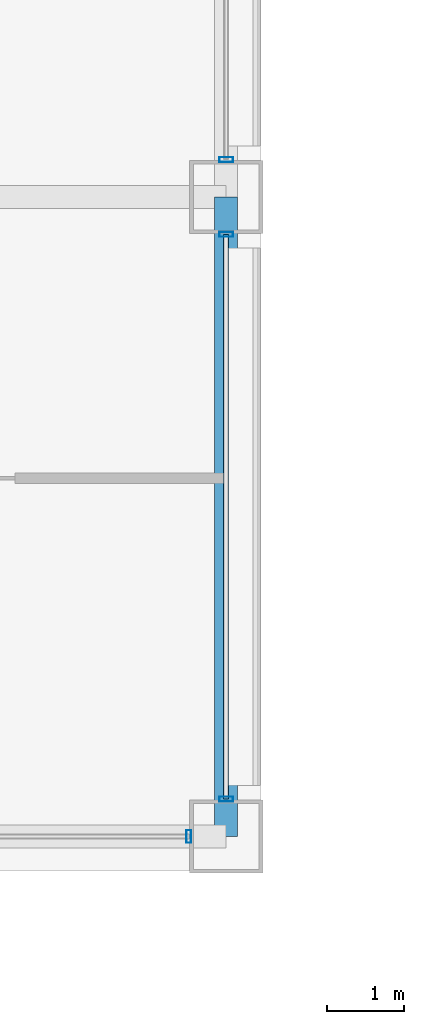
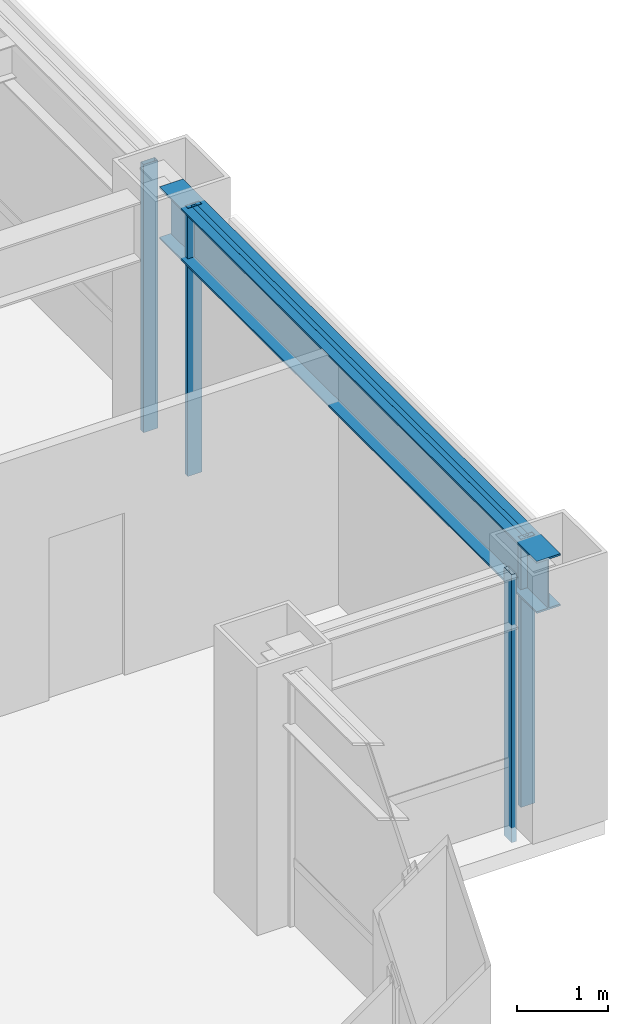
# One storey, part 11 of 31: 5 members, 1 beam, 3 elements without a shape of their own.
"""IFC4 building model written with IfcOpenShell, lengths in metres."""

from ifc_helpers import new_model, si_unit, direction, frame, origin, origin_2d, place, context, subcontext, project, spatial, hollow_rectangle, i_section, extrude, material, layer, layer_set, material_profile, profile_set, type_object, element, aggregate, save


model = new_model("IFC4")

# Units and contexts
model_context = context("Model", 3, precision=1e-05, world=origin(), true_north=direction((0.0, 1.0)))
body_context = subcontext(model_context, "Body", "Model", "MODEL_VIEW")
ifc_project = project(units=[si_unit("LENGTHUNIT", "METRE"), si_unit("AREAUNIT", "SQUARE_METRE"), si_unit("VOLUMEUNIT", "CUBIC_METRE"), si_unit("PLANEANGLEUNIT", "RADIAN"), si_unit("MASSUNIT", "GRAM", prefix="KILO")], contexts=[model_context])

# Site, building, storey
site_placement = place(None, origin())
site = spatial("IfcSite", under=ifc_project, at=site_placement, CompositionType="ELEMENT")
building_placement = place(site_placement, origin())
building = spatial("IfcBuilding", under=site, at=building_placement, Name="Brelmoor Portico Tower", CompositionType="ELEMENT")
storey_placement = place(building_placement, frame((0.0, 0.0, 42.0)))
storey = spatial("IfcBuildingStorey", under=building, at=storey_placement, Name="L10", CompositionType="ELEMENT", Elevation=42.0)

# Beam
ifc_material_1 = material(Name="Steel Q355B", Category="steel")
ifc_material_profile_1 = material_profile(ifc_material_1, i_section(OverallWidth=0.300048828125, OverallDepth=0.699951171875, WebThickness=0.012939453125, FlangeThickness=0.02392578125, at=origin_2d()), Name="HN 700x300x13x24")
ifc_profile_set_1 = profile_set([ifc_material_profile_1], Name="Steel Q355B")
beam_type = type_object("IfcBeamType", Name="BM-SP-700", PredefinedType="SPANDREL", material=ifc_profile_set_1)
beam_placement = place(storey_placement, frame((24.550048828125, -18.050048828125, 3.050048828125), z_axis=(0.0, 1.0, 0.0), x_axis=(-1.0, 0.0, 0.0)))
element("IfcBeam", 1, at=beam_placement, inside=storey, type_object=beam_type, Name="L10 Perimeter Spandrel Beam SP-22", PredefinedType="SPANDREL", context=body_context, shape_type="SweptSolid", body=[
    extrude(i_section(OverallWidth=0.300048828125, OverallDepth=0.699951171875, WebThickness=0.012939453125, FlangeThickness=0.02392578125, at=origin_2d()), origin(), (0.0, 0.0, 1.0), 8.300048828125),
])

# Curtain wall, member
ifc_material_2 = material(Name="Anodised Aluminium Alloy 6063-T6", Category="aluminium")
ifc_layer_1 = layer(ifc_material_2, 0.179931640625)
ifc_layer_set_1 = layer_set([ifc_layer_1], Name="Anodised Aluminium Alloy 6063-T6")
curtain_wall_type_1 = type_object("IfcCurtainWallType", Name="CW-NOTCH-CHAMFER", PredefinedType="NOTDEFINED", material=ifc_layer_set_1)
curtain_wall_1_placement = place(storey_placement, origin())
curtain_wall_1 = element("IfcCurtainWall", 2, at=curtain_wall_1_placement, inside=storey, type_object=curtain_wall_type_1, Name="L10 Curtain Wall CWN-L10-SEH", PredefinedType="NOTDEFINED")
ifc_material_profile_2 = material_profile(ifc_material_2, hollow_rectangle(XDim=0.06494140625, YDim=0.1650390625, WallThickness=0.00390625, at=origin_2d()), Name="ALU MULLION 65x165")
ifc_profile_set_2 = profile_set([ifc_material_profile_2], Name="Anodised Aluminium Alloy 6063-T6")
member_type_1 = type_object("IfcMemberType", Name="MB-CW-MULL-165", PredefinedType="MULLION", material=ifc_profile_set_2)
member_1_placement = place(storey_placement, frame((24.06494140625, -18.050048828125, -0.199951171875), z_axis=(0.0, 0.0, 1.0), x_axis=(1.0, 0.0, 0.0)))
member_1 = element("IfcMember", 3, at=member_1_placement, type_object=member_type_1, Name="CWN-L10-SEH Mullion 01", PredefinedType="MULLION", context=body_context, shape_type="SweptSolid", body=[
    extrude(hollow_rectangle(XDim=0.06494140625, YDim=0.1650390625, WallThickness=0.00390625, at=origin_2d()), origin(), (0.0, 0.0, 1.0), 3.599853515625),
])
aggregate(curtain_wall_1, [member_1])

# Curtain wall, members
ifc_layer_2 = layer(ifc_material_2, 0.179931640625)
ifc_layer_set_2 = layer_set([ifc_layer_2], Name="Anodised Aluminium Alloy 6063-T6")
curtain_wall_type_2 = type_object("IfcCurtainWallType", Name="CW-TOWER-Z1-XB", PredefinedType="NOTDEFINED", material=ifc_layer_set_2)
curtain_wall_2_placement = place(storey_placement, origin())
curtain_wall_2 = element("IfcCurtainWall", 4, at=curtain_wall_2_placement, inside=storey, type_object=curtain_wall_type_2, Name="L10 Curtain Wall CW-L10-4L-1", PredefinedType="NOTDEFINED")
ifc_material_profile_3 = material_profile(ifc_material_2, hollow_rectangle(XDim=0.06494140625, YDim=0.179931640625, WallThickness=0.00390625, at=origin_2d()), Name="ALU MULLION 65x180")
ifc_profile_set_3 = profile_set([ifc_material_profile_3], Name="Anodised Aluminium Alloy 6063-T6")
member_type_2 = type_object("IfcMemberType", Name="MB-CW-MULL-180", PredefinedType="MULLION", material=ifc_profile_set_3)
member_2_placement = place(storey_placement, frame((24.550048828125, -17.56494140625, -0.199951171875), z_axis=(0.0, 0.0, 1.0), x_axis=(0.0, 1.0, 0.0)))
member_2 = element("IfcMember", 5, at=member_2_placement, type_object=member_type_2, Name="CW-L10-4L-1 Mullion 00", PredefinedType="MULLION", context=body_context, shape_type="SweptSolid", body=[
    extrude(hollow_rectangle(XDim=0.06494140625, YDim=0.179931640625, WallThickness=0.00390625, at=origin_2d()), origin(), (0.0, 0.0, 1.0), 3.599853515625),
])
member_3_placement = place(storey_placement, frame((24.550048828125, -10.235107421875, -0.199951171875), z_axis=(0.0, 0.0, 1.0), x_axis=(0.0, 1.0, 0.0)))
member_3 = element("IfcMember", 6, at=member_3_placement, type_object=member_type_2, Name="CW-L10-4L-1 Mullion 01", PredefinedType="MULLION", context=body_context, shape_type="SweptSolid", body=[
    extrude(hollow_rectangle(XDim=0.06494140625, YDim=0.179931640625, WallThickness=0.00390625, at=origin_2d()), origin(), (0.0, 0.0, 1.0), 3.599853515625),
])

# Curtain wall, member
ifc_layer_3 = layer(ifc_material_2, 0.179931640625)
ifc_layer_set_3 = layer_set([ifc_layer_3], Name="Anodised Aluminium Alloy 6063-T6")
curtain_wall_type_3 = type_object("IfcCurtainWallType", Name="CW-TOWER-Z1", PredefinedType="NOTDEFINED", material=ifc_layer_set_3)
curtain_wall_3_placement = place(storey_placement, origin())
curtain_wall_3 = element("IfcCurtainWall", 7, at=curtain_wall_3_placement, inside=storey, type_object=curtain_wall_type_3, Name="L10 Curtain Wall CW-L10-4L-2", PredefinedType="NOTDEFINED")
member_4_placement = place(storey_placement, frame((24.550048828125, -9.264892578125, -0.199951171875), z_axis=(0.0, 0.0, 1.0), x_axis=(0.0, 1.0, 0.0)))
member_4 = element("IfcMember", 8, at=member_4_placement, type_object=member_type_2, Name="CW-L10-4L-2 Mullion 00", PredefinedType="MULLION", context=body_context, shape_type="SweptSolid", body=[
    extrude(hollow_rectangle(XDim=0.06494140625, YDim=0.179931640625, WallThickness=0.00390625, at=origin_2d()), origin(), (0.0, 0.0, 1.0), 3.599853515625),
])
aggregate(curtain_wall_3, [member_4])

# Member
ifc_material_profile_4 = material_profile(ifc_material_2, hollow_rectangle(XDim=0.06494140625, YDim=0.139892578125, WallThickness=0.00390625, at=origin_2d()), Name="ALU TRANSOM 65x140")
ifc_profile_set_4 = profile_set([ifc_material_profile_4], Name="Anodised Aluminium Alloy 6063-T6")
member_type_3 = type_object("IfcMemberType", Name="MB-CW-TRAN-140", PredefinedType="USERDEFINED", material=ifc_profile_set_4)
member_5_placement = place(storey_placement, frame((24.550048828125, -17.56494140625, 3.330078125), z_axis=(0.0, 1.0, 0.0), x_axis=(-1.0, 0.0, 0.0)))
member_5 = element("IfcMember", 9, at=member_5_placement, type_object=member_type_3, Name="CW-L10-4L-1 Transom 1-00", ObjectType="TRANSOM", PredefinedType="USERDEFINED", context=body_context, shape_type="SweptSolid", body=[
    extrude(hollow_rectangle(XDim=0.06494140625, YDim=0.139892578125, WallThickness=0.00390625, at=origin_2d()), origin(), (0.0, 0.0, 1.0), 7.329833984375),
])

aggregate(curtain_wall_2, [member_2, member_3, member_5])

save(model, "model.ifc")
